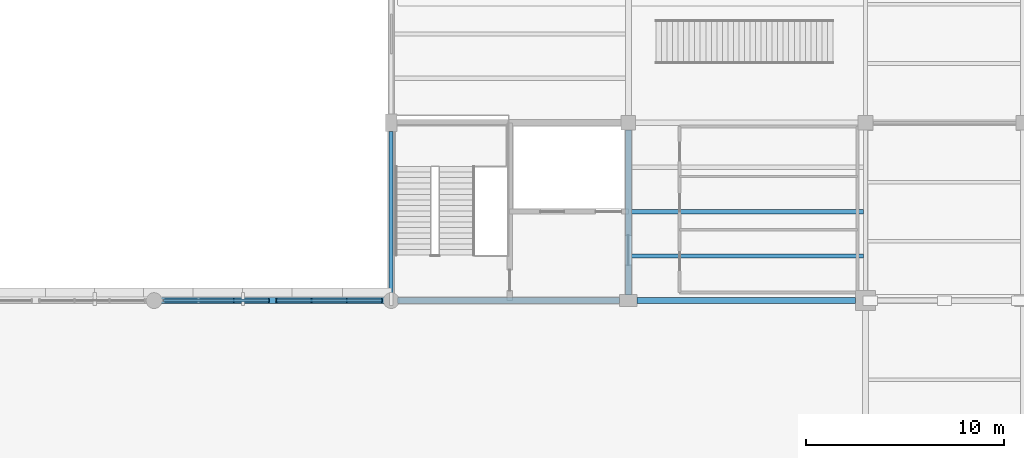
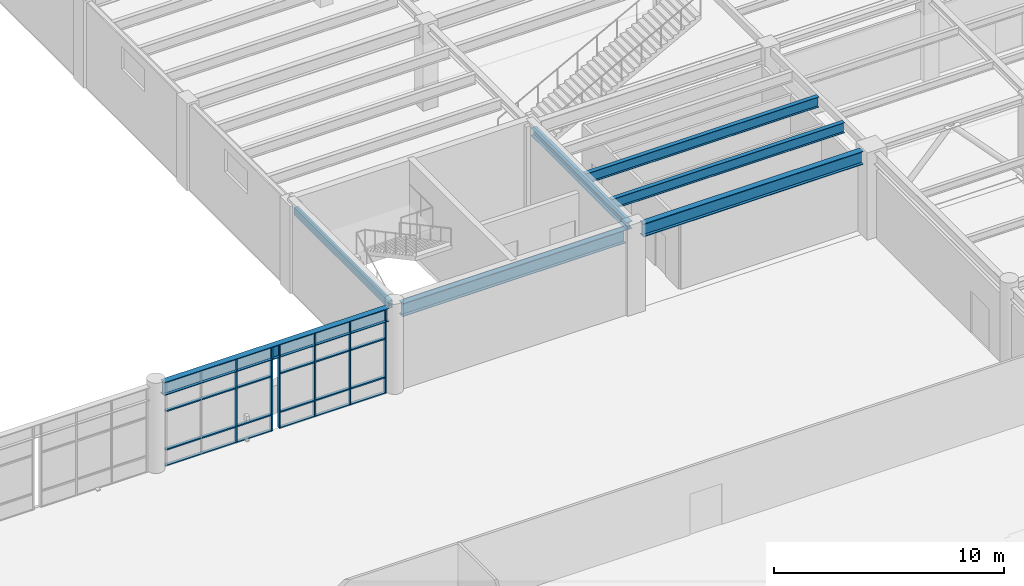
# One storey, part 23 of 72: 14 members, 7 beams, 2 elements without a shape of their own.
"""IFC4 building model written with IfcOpenShell, lengths in metres."""

import ifcopenshell
import ifcopenshell.guid

model = None  # the IFC model being written
_history = None  # IfcOwnerHistory: only IFC2X3 demands one
_inside = {}  # id of a spatial element -> (the spatial element, [elements in it])
_under = {}  # id of a project, library or spatial element -> (it, [spatial elements below it])
_declared = {}  # id of a project -> (the project, [libraries it declares])
_typed = {}  # id of a type object -> (the type object, [elements of that type])
_made_of = {}  # id of a material, layer set ... -> (it, [elements and type objects made of it])


def new_model(schema):
    """Start an empty IFC model of exactly this schema.

    Asked for "IFC4X3", IfcOpenShell would pick the latest addendum, in which some entities
    have other attributes; the version numbers below select the first issue.
    IFC2X3 requires an IfcOwnerHistory on every rooted entity: one is made here for all.
    """
    global model, _history
    if schema == "IFC4X3":
        model = ifcopenshell.file(schema_version=(4, 3, 0, 0))
    else:
        model = ifcopenshell.file(schema=schema)
    _inside.clear()
    _under.clear()
    _declared.clear()
    _typed.clear()
    _made_of.clear()
    _history = None
    if model.schema == "IFC2X3":
        org = make("IfcOrganization", Name="unknown")
        user = make(
            "IfcPersonAndOrganization",
            ThePerson=make("IfcPerson", FamilyName="unknown"),
            TheOrganization=org,
        )
        app = make(
            "IfcApplication",
            ApplicationDeveloper=org,
            Version="unknown",
            ApplicationFullName="unknown",
            ApplicationIdentifier="unknown",
        )
        _history = make(
            "IfcOwnerHistory",
            OwningUser=user,
            OwningApplication=app,
            ChangeAction="ADDED",
            CreationDate=0,
        )
    return model


def make(cls, **values):
    """One entity of the class cls with the attributes given. An attribute that is None is left unset."""
    return model.create_entity(
        cls, **{name: value for name, value in values.items() if value is not None}
    )


def rooted(cls, **values):
    """An entity with a GlobalId (a new one), such as an element, a storey or a relation."""
    return make(cls, GlobalId=ifcopenshell.guid.new(), OwnerHistory=_history, **values)


def si_unit(unit_type, name, prefix=None):
    """IfcSIUnit, for example si_unit("LENGTHUNIT", "METRE", prefix="MILLI")."""
    return make("IfcSIUnit", UnitType=unit_type, Prefix=prefix, Name=name)


def assignment(units):
    """IfcUnitAssignment: the units of a project."""
    return None if units is None else make("IfcUnitAssignment", Units=units)


def point(xyz):
    """IfcCartesianPoint."""
    return None if xyz is None else make("IfcCartesianPoint", Coordinates=xyz)


def direction(xyz):
    """IfcDirection."""
    return None if xyz is None else make("IfcDirection", DirectionRatios=xyz)


def frame(location, z_axis=None, x_axis=None):
    """IfcAxis2Placement3D, a coordinate frame: its origin and axes. An axis left out is left unset."""
    return make(
        "IfcAxis2Placement3D",
        Location=point(location),
        Axis=direction(z_axis),
        RefDirection=direction(x_axis),
    )


def frame_2d(location, x_axis=None):
    """IfcAxis2Placement2D, a coordinate frame in the plane: its origin and x axis."""
    return make(
        "IfcAxis2Placement2D", Location=point(location), RefDirection=direction(x_axis)
    )


def origin():
    """The frame at (0, 0, 0) with its axes left unset."""
    return frame((0.0, 0.0, 0.0))


def origin_2d():
    """The frame at (0, 0) in the plane with its x axis left unset."""
    return frame_2d((0.0, 0.0))


def place(relative_to, where):
    """IfcLocalPlacement: puts the frame where relative to a parent placement (None: the world)."""
    return make(
        "IfcLocalPlacement", PlacementRelTo=relative_to, RelativePlacement=where
    )


def context(
    kind, dimensions, precision=None, world=None, true_north=None, identifier=None
):
    """IfcGeometricRepresentationContext, for example the 3D "Model" context."""
    return make(
        "IfcGeometricRepresentationContext",
        ContextIdentifier=identifier,
        ContextType=kind,
        CoordinateSpaceDimension=dimensions,
        Precision=precision,
        WorldCoordinateSystem=world,
        TrueNorth=true_north,
    )


def subcontext(parent, identifier, kind, view, scale=None):
    """IfcGeometricRepresentationSubContext, for example "Body" below "Model"."""
    return make(
        "IfcGeometricRepresentationSubContext",
        ContextIdentifier=identifier,
        ContextType=kind,
        ParentContext=parent,
        TargetScale=scale,
        TargetView=view,
    )


def project(units=None, contexts=None):
    """IfcProject with its units and contexts."""
    return rooted(
        "IfcProject",
        Name="project",
        RepresentationContexts=contexts,
        UnitsInContext=assignment(units),
    )


def spatial(cls, under=None, at=None, **own):
    """A site, building, storey or space (cls), placed at a placement, below another one or the project."""
    s = rooted(cls, ObjectPlacement=at, **own)
    if under is not None:
        _under.setdefault(under.id(), (under, []))[1].append(s)
    return s


def profile(cls, at=None, kind="AREA", **sizes):
    """A parametric profile (cls). Its sizes go by their IFC names, for example OverallWidth=200.0."""
    return make(cls, ProfileType=kind, Position=at, **sizes)


def rectangle(**sizes):
    """IfcRectangleProfileDef."""
    return profile("IfcRectangleProfileDef", **sizes)


def hollow_rectangle(**sizes):
    """IfcRectangleHollowProfileDef."""
    return profile("IfcRectangleHollowProfileDef", **sizes)


def i_section(**sizes):
    """IfcIShapeProfileDef."""
    return profile("IfcIShapeProfileDef", **sizes)


def extrude(swept, where, along, depth):
    """IfcExtrudedAreaSolid: the profile swept, set in the frame where, extruded along a direction by depth."""
    return make(
        "IfcExtrudedAreaSolid",
        SweptArea=swept,
        Position=where,
        ExtrudedDirection=direction(along),
        Depth=depth,
    )


def shape(context_of_items, identifier, shape_type, items):
    """IfcShapeRepresentation: the items that make up one representation, for example the "Body"."""
    return make(
        "IfcShapeRepresentation",
        ContextOfItems=context_of_items,
        RepresentationIdentifier=identifier,
        RepresentationType=shape_type,
        Items=items,
    )


def material(Name=None, Category=None):
    """IfcMaterial."""
    return make("IfcMaterial", Name=Name, Category=Category)


def layer(
    of_material, thickness, ventilated=None, Name=None, Category=None, Priority=None
):
    """IfcMaterialLayer: one layer of a wall or slab, of a material (None: an air gap)."""
    return make(
        "IfcMaterialLayer",
        Material=of_material,
        LayerThickness=thickness,
        IsVentilated=ventilated,
        Name=Name,
        Category=Category,
        Priority=Priority,
    )


def layer_set(layers, Name=None):
    """IfcMaterialLayerSet."""
    return make("IfcMaterialLayerSet", MaterialLayers=layers, LayerSetName=Name)


def material_profile(
    of_material, cross_section, Name=None, Category=None, Priority=None
):
    """IfcMaterialProfile: a cross section and its material."""
    return make(
        "IfcMaterialProfile",
        Name=Name,
        Material=of_material,
        Profile=cross_section,
        Priority=Priority,
        Category=Category,
    )


def profile_set(profiles, Name=None, composite=None):
    """IfcMaterialProfileSet."""
    return make(
        "IfcMaterialProfileSet",
        Name=Name,
        MaterialProfiles=profiles,
        CompositeProfile=composite,
    )


def made_of(thing, what):
    """Note that an element or type object is made of a material, layer set ...; save() writes the relation."""
    if what is not None:
        _made_of.setdefault(what.id(), (what, []))[1].append(thing)
    return thing


def type_object(cls, material=None, **own):
    """A type object (cls), such as IfcWallType, which elements share."""
    return made_of(rooted(cls, **own), material)


def element(
    cls,
    number,
    at=None,
    inside=None,
    cuts=None,
    type_object=None,
    material=None,
    context=None,
    identifier="Body",
    shape_type=None,
    held_by="IfcProductDefinitionShape",
    body=None,
    shapes=None,
    **own,
):
    """One element of the class cls, such as IfcWall. Its Tag is "e" and its number.

    at: its placement. inside: the storey or other place that contains it. cuts: it is an
    opening in that element (IfcRelVoidsElement). A single representation is given by context,
    identifier, shape_type and body (its items); several are given by shapes. held_by: the class
    of the entity that holds the representations. save() writes the other relations.
    """
    e = rooted(cls, Tag="e%d" % number, ObjectPlacement=at, **own)
    if body is not None:
        shapes = [shape(context, identifier, shape_type, body)]
    if shapes is not None:
        e.Representation = make(held_by, Representations=shapes)
    if inside is not None:
        _inside.setdefault(inside.id(), (inside, []))[1].append(e)
    if cuts is not None:
        rooted(
            "IfcRelVoidsElement", RelatingBuildingElement=cuts, RelatedOpeningElement=e
        )
    if type_object is not None:
        _typed.setdefault(type_object.id(), (type_object, []))[1].append(e)
    return made_of(e, material)


def aggregate(whole, parts):
    """IfcRelAggregates: a whole, such as a stair, and the parts it consists of."""
    return rooted("IfcRelAggregates", RelatingObject=whole, RelatedObjects=parts)


def save(model, path):
    """Write the relations noted so far, then the file.

    IfcRelAggregates (storeys below a building ...), IfcRelContainedInSpatialStructure (elements
    in a storey), IfcRelDefinesByType, IfcRelAssociatesMaterial and IfcRelDeclares: one each for
    every whole, place, type object, material and project.
    """
    for whole, parts in _under.values():
        aggregate(whole, parts)
    for where, things in _inside.values():
        rooted(
            "IfcRelContainedInSpatialStructure",
            RelatedElements=things,
            RelatingStructure=where,
        )
    for kind, things in _typed.values():
        rooted("IfcRelDefinesByType", RelatedObjects=things, RelatingType=kind)
    for what, things in _made_of.values():
        rooted("IfcRelAssociatesMaterial", RelatedObjects=things, RelatingMaterial=what)
    for by, libraries in _declared.values():
        rooted("IfcRelDeclares", RelatingContext=by, RelatedDefinitions=libraries)
    model.write(path)


model = new_model("IFC4")

# Units and contexts
model_context = context("Model", 3, precision=1e-05, world=origin(), true_north=direction((0.0, 1.0)))
body_context = subcontext(model_context, "Body", "Model", "MODEL_VIEW")
ifc_project = project(units=[si_unit("LENGTHUNIT", "METRE"), si_unit("AREAUNIT", "SQUARE_METRE"), si_unit("VOLUMEUNIT", "CUBIC_METRE"), si_unit("PLANEANGLEUNIT", "RADIAN"), si_unit("MASSUNIT", "GRAM", prefix="KILO")], contexts=[model_context])

# Site, building, storey
site_placement = place(None, origin())
site = spatial("IfcSite", under=ifc_project, at=site_placement, CompositionType="ELEMENT")
building_placement = place(site_placement, origin())
building = spatial("IfcBuilding", under=site, at=building_placement, Name="Keelwater Ferry Terminal", CompositionType="ELEMENT")
storey_placement = place(building_placement, frame((0.0, 0.0, 5.39990234375)))
storey = spatial("IfcBuildingStorey", under=building, at=storey_placement, Name="L01", CompositionType="ELEMENT", Elevation=5.39990234375)

# Curtain wall, members
ifc_material_1 = material(Name="Thermally broken unitised aluminium and triple glass", Category="aluminium")
ifc_layer = layer(ifc_material_1, 0.179931640625)
ifc_layer_set = layer_set([ifc_layer], Name="Thermally broken unitised aluminium and triple glass")
curtain_wall_type = type_object("IfcCurtainWallType", Name="CW-06 Unitised Curtain Wall 5330x4450", PredefinedType="USERDEFINED", material=ifc_layer_set)
curtain_wall_1_placement = place(storey_placement, origin())
curtain_wall_1 = element("IfcCurtainWall", 1, at=curtain_wall_1_placement, inside=storey, type_object=curtain_wall_type, Name="Unitised Curtain Wall CW-L01-037", ObjectType="UNITISED CURTAIN WALL", PredefinedType="USERDEFINED")
ifc_material_2 = material(Name="Aluminium mullion", Category="aluminium")
ifc_material_profile_1 = material_profile(ifc_material_2, rectangle(XDim=0.06494140625, YDim=0.179931640625, at=origin_2d()), Name="CWM-01")
ifc_profile_set_1 = profile_set([ifc_material_profile_1], Name="Aluminium mullion")
member_type_1 = type_object("IfcMemberType", Name="CWM-01 Curtain Mullion 65x180", PredefinedType="MULLION", material=ifc_profile_set_1)
member_1_placement = place(storey_placement, frame((100.0283203125, 90.0, 0.0), z_axis=(0.0, 0.0, 1.0), x_axis=(1.0, 0.0, 0.0)))
member_1 = element("IfcMember", 2, at=member_1_placement, type_object=member_type_1, Name="CW-L01-037 Mullion 3", PredefinedType="MULLION", context=body_context, shape_type="SweptSolid", body=[
    extrude(rectangle(XDim=0.06494140625, YDim=0.179931640625, at=origin_2d()), origin(), (0.0, 0.0, 1.0), 4.4501953125),
])
member_2_placement = place(storey_placement, frame((101.804931640625, 90.0, 0.0), z_axis=(0.0, 0.0, 1.0), x_axis=(1.0, 0.0, 0.0)))
member_2 = element("IfcMember", 3, at=member_2_placement, type_object=member_type_1, Name="CW-L01-037 Mullion 4", PredefinedType="MULLION", context=body_context, shape_type="SweptSolid", body=[
    extrude(rectangle(XDim=0.06494140625, YDim=0.179931640625, at=origin_2d()), origin(), (0.0, 0.0, 1.0), 4.4501953125),
])

curtain_wall_2_placement = place(storey_placement, origin())
curtain_wall_2 = element("IfcCurtainWall", 4, at=curtain_wall_2_placement, inside=storey, type_object=curtain_wall_type, Name="Unitised Curtain Wall CW-L01-038", ObjectType="UNITISED CURTAIN WALL", PredefinedType="USERDEFINED")
member_3_placement = place(storey_placement, frame((102.195068359375, 90.0, 0.0), z_axis=(0.0, 0.0, 1.0), x_axis=(1.0, 0.0, 0.0)))
member_3 = element("IfcMember", 5, at=member_3_placement, type_object=member_type_1, Name="CW-L01-038 Mullion 1", PredefinedType="MULLION", context=body_context, shape_type="SweptSolid", body=[
    extrude(rectangle(XDim=0.06494140625, YDim=0.179931640625, at=origin_2d()), origin(), (0.0, 0.0, 1.0), 4.4501953125),
])
member_4_placement = place(storey_placement, frame((103.9716796875, 90.0, 0.0), z_axis=(0.0, 0.0, 1.0), x_axis=(1.0, 0.0, 0.0)))
member_4 = element("IfcMember", 6, at=member_4_placement, type_object=member_type_1, Name="CW-L01-038 Mullion 2", PredefinedType="MULLION", context=body_context, shape_type="SweptSolid", body=[
    extrude(rectangle(XDim=0.06494140625, YDim=0.179931640625, at=origin_2d()), origin(), (0.0, 0.0, 1.0), 4.4501953125),
])
member_5_placement = place(storey_placement, frame((105.748291015625, 90.0, 0.0), z_axis=(0.0, 0.0, 1.0), x_axis=(1.0, 0.0, 0.0)))
member_5 = element("IfcMember", 7, at=member_5_placement, type_object=member_type_1, Name="CW-L01-038 Mullion 3", PredefinedType="MULLION", context=body_context, shape_type="SweptSolid", body=[
    extrude(rectangle(XDim=0.06494140625, YDim=0.179931640625, at=origin_2d()), origin(), (0.0, 0.0, 1.0), 4.4501953125),
])
member_6_placement = place(storey_placement, frame((107.52490234375, 90.0, 0.0), z_axis=(0.0, 0.0, 1.0), x_axis=(1.0, 0.0, 0.0)))
member_6 = element("IfcMember", 8, at=member_6_placement, type_object=member_type_1, Name="CW-L01-038 Mullion 4", PredefinedType="MULLION", context=body_context, shape_type="SweptSolid", body=[
    extrude(rectangle(XDim=0.06494140625, YDim=0.179931640625, at=origin_2d()), origin(), (0.0, 0.0, 1.0), 4.4501953125),
])

# Member
ifc_material_3 = material(Name="Aluminium mullion", Category="aluminium")
ifc_material_profile_2 = material_profile(ifc_material_3, rectangle(XDim=0.159912109375, YDim=0.06494140625, at=origin_2d()), Name="CWT-01")
ifc_profile_set_2 = profile_set([ifc_material_profile_2], Name="Aluminium mullion")
member_type_2 = type_object("IfcMemberType", Name="CWT-01 Curtain Transom 65x160", PredefinedType="USERDEFINED", material=ifc_profile_set_2)
member_7_placement = place(storey_placement, frame((96.47509765625, 90.0, 0.0), z_axis=(1.0, 0.0, 0.0), x_axis=(0.0, 1.0, 0.0)))
member_7 = element("IfcMember", 9, at=member_7_placement, type_object=member_type_2, Name="CW-L01-037 Transom 1", ObjectType="TRANSOM", PredefinedType="USERDEFINED", context=body_context, shape_type="SweptSolid", body=[
    extrude(rectangle(XDim=0.159912109375, YDim=0.06494140625, at=origin_2d()), origin(), (0.0, 0.0, 1.0), 5.329833984375),
])

member_8_placement = place(storey_placement, frame((96.47509765625, 90.0, 0.85009765625), z_axis=(1.0, 0.0, 0.0), x_axis=(0.0, 1.0, 0.0)))
member_8 = element("IfcMember", 10, at=member_8_placement, type_object=member_type_2, Name="CW-L01-037 Transom 2", ObjectType="TRANSOM", PredefinedType="USERDEFINED", context=body_context, shape_type="SweptSolid", body=[
    extrude(rectangle(XDim=0.159912109375, YDim=0.06494140625, at=origin_2d()), origin(), (0.0, 0.0, 1.0), 5.329833984375),
])

member_9_placement = place(storey_placement, frame((96.47509765625, 90.0, 2.900146484375), z_axis=(1.0, 0.0, 0.0), x_axis=(0.0, 1.0, 0.0)))
member_9 = element("IfcMember", 11, at=member_9_placement, type_object=member_type_2, Name="CW-L01-037 Transom 3", ObjectType="TRANSOM", PredefinedType="USERDEFINED", context=body_context, shape_type="SweptSolid", body=[
    extrude(rectangle(XDim=0.159912109375, YDim=0.06494140625, at=origin_2d()), origin(), (0.0, 0.0, 1.0), 5.329833984375),
])

member_10_placement = place(storey_placement, frame((96.47509765625, 90.0, 4.4501953125), z_axis=(1.0, 0.0, 0.0), x_axis=(0.0, 1.0, 0.0)))
member_10 = element("IfcMember", 12, at=member_10_placement, type_object=member_type_2, Name="CW-L01-037 Transom 4", ObjectType="TRANSOM", PredefinedType="USERDEFINED", context=body_context, shape_type="SweptSolid", body=[
    extrude(rectangle(XDim=0.159912109375, YDim=0.06494140625, at=origin_2d()), origin(), (0.0, 0.0, 1.0), 5.329833984375),
])

aggregate(curtain_wall_1, [member_1, member_2, member_7, member_8, member_9, member_10])

member_11_placement = place(storey_placement, frame((102.195068359375, 90.0, 0.0), z_axis=(1.0, 0.0, 0.0), x_axis=(0.0, 1.0, 0.0)))
member_11 = element("IfcMember", 13, at=member_11_placement, type_object=member_type_2, Name="CW-L01-038 Transom 1", ObjectType="TRANSOM", PredefinedType="USERDEFINED", context=body_context, shape_type="SweptSolid", body=[
    extrude(rectangle(XDim=0.159912109375, YDim=0.06494140625, at=origin_2d()), origin(), (0.0, 0.0, 1.0), 5.329833984375),
])

member_12_placement = place(storey_placement, frame((102.195068359375, 90.0, 0.85009765625), z_axis=(1.0, 0.0, 0.0), x_axis=(0.0, 1.0, 0.0)))
member_12 = element("IfcMember", 14, at=member_12_placement, type_object=member_type_2, Name="CW-L01-038 Transom 2", ObjectType="TRANSOM", PredefinedType="USERDEFINED", context=body_context, shape_type="SweptSolid", body=[
    extrude(rectangle(XDim=0.159912109375, YDim=0.06494140625, at=origin_2d()), origin(), (0.0, 0.0, 1.0), 5.329833984375),
])

member_13_placement = place(storey_placement, frame((102.195068359375, 90.0, 2.900146484375), z_axis=(1.0, 0.0, 0.0), x_axis=(0.0, 1.0, 0.0)))
member_13 = element("IfcMember", 15, at=member_13_placement, type_object=member_type_2, Name="CW-L01-038 Transom 3", ObjectType="TRANSOM", PredefinedType="USERDEFINED", context=body_context, shape_type="SweptSolid", body=[
    extrude(rectangle(XDim=0.159912109375, YDim=0.06494140625, at=origin_2d()), origin(), (0.0, 0.0, 1.0), 5.329833984375),
])

member_14_placement = place(storey_placement, frame((102.195068359375, 90.0, 4.4501953125), z_axis=(1.0, 0.0, 0.0), x_axis=(0.0, 1.0, 0.0)))
member_14 = element("IfcMember", 16, at=member_14_placement, type_object=member_type_2, Name="CW-L01-038 Transom 4", ObjectType="TRANSOM", PredefinedType="USERDEFINED", context=body_context, shape_type="SweptSolid", body=[
    extrude(rectangle(XDim=0.159912109375, YDim=0.06494140625, at=origin_2d()), origin(), (0.0, 0.0, 1.0), 5.329833984375),
])

aggregate(curtain_wall_2, [member_3, member_4, member_5, member_6, member_11, member_12, member_13, member_14])

# Beams
ifc_material_4 = material(Name="Steel S355", Category="steel")
ifc_material_profile_3 = material_profile(ifc_material_4, i_section(OverallWidth=0.300048828125, OverallDepth=0.699951171875, WebThickness=0.01708984375, FlangeThickness=0.031982421875, at=origin_2d()), Name="HEB 700")
ifc_profile_set_3 = profile_set([ifc_material_profile_3], Name="Steel S355")
beam_type_1 = type_object("IfcBeamType", Name="G2E HEB 700", PredefinedType="BEAM", material=ifc_profile_set_3)
beam_1_placement = place(storey_placement, frame((96.327880859375, 90.0, 4.170166015625), z_axis=(1.0, 0.0, 0.0), x_axis=(0.0, 1.0, 0.0)))
element("IfcBeam", 17, at=beam_1_placement, inside=storey, type_object=beam_type_1, Name="Beam BM-L01-0675", PredefinedType="BEAM", context=body_context, shape_type="SweptSolid", body=[
    extrude(i_section(OverallWidth=0.300048828125, OverallDepth=0.699951171875, WebThickness=0.01708984375, FlangeThickness=0.031982421875, at=origin_2d()), origin(), (0.0, 0.0, 1.0), 11.34423828125),
])
beam_2_placement = place(storey_placement, frame((108.327880859375, 90.0, 4.170166015625), z_axis=(1.0, 0.0, 0.0), x_axis=(0.0, 1.0, 0.0)))
element("IfcBeam", 18, at=beam_2_placement, inside=storey, type_object=beam_type_1, Name="Beam BM-L01-0676", PredefinedType="BEAM", context=body_context, shape_type="SweptSolid", body=[
    extrude(i_section(OverallWidth=0.300048828125, OverallDepth=0.699951171875, WebThickness=0.01708984375, FlangeThickness=0.031982421875, at=origin_2d()), origin(), (0.0, 0.0, 1.0), 11.231201171875),
])
beam_3_placement = place(storey_placement, frame((120.44091796875, 90.0, 4.170166015625), z_axis=(1.0, 0.0, 0.0), x_axis=(0.0, 1.0, 0.0)))
element("IfcBeam", 19, at=beam_3_placement, inside=storey, type_object=beam_type_1, Name="Beam BM-L01-0677", PredefinedType="BEAM", context=body_context, shape_type="SweptSolid", body=[
    extrude(i_section(OverallWidth=0.300048828125, OverallDepth=0.699951171875, WebThickness=0.01708984375, FlangeThickness=0.031982421875, at=origin_2d()), origin(), (0.0, 0.0, 1.0), 11.069091796875),
])
ifc_material_5 = material(Name="Steel S355", Category="steel")
ifc_material_profile_4 = material_profile(ifc_material_5, i_section(OverallWidth=0.300048828125, OverallDepth=0.39990234375, WebThickness=0.013427734375, FlangeThickness=0.02392578125, at=origin_2d()), Name="HEB 400")
ifc_profile_set_4 = profile_set([ifc_material_profile_4], Name="Steel S355")
beam_type_2 = type_object("IfcBeamType", Name="G7 HEB 400", PredefinedType="BEAM", material=ifc_profile_set_4)
beam_4_placement = place(storey_placement, frame((120.0, 90.2939453125, 4.320068359375), z_axis=(0.0, 1.0, 0.0), x_axis=(-1.0, 0.0, 0.0)))
element("IfcBeam", 20, at=beam_4_placement, inside=storey, type_object=beam_type_2, Name="Beam BM-L01-0747", PredefinedType="BEAM", context=body_context, shape_type="SweptSolid", body=[
    extrude(i_section(OverallWidth=0.300048828125, OverallDepth=0.39990234375, WebThickness=0.013427734375, FlangeThickness=0.02392578125, at=origin_2d()), origin(), (0.0, 0.0, 1.0), 8.338134765625),
])
ifc_material_6 = material(Name="Steel S355", Category="steel")
ifc_material_profile_5 = material_profile(ifc_material_6, i_section(OverallWidth=0.2099609375, OverallDepth=0.550048828125, WebThickness=0.010986328125, FlangeThickness=0.01708984375, at=origin_2d()), Name="IPE 550")
ifc_profile_set_5 = profile_set([ifc_material_profile_5], Name="Steel S355")
beam_type_3 = type_object("IfcBeamType", Name="J2 IPE 550", PredefinedType="JOIST", material=ifc_profile_set_5)
for number, where, z_axis, x_axis, name in (
    (21, (120.14990234375, 92.25, 4.2451171875), (1.0, 0.0, 0.0), (0.0, 1.0, 0.0), "Beam BM-L01-0862"),
    (22, (120.14990234375, 94.5, 4.2451171875), (1.0, 0.0, 0.0), (0.0, 1.0, 0.0), "Beam BM-L01-0863"),
):
    element("IfcBeam", number, at=place(storey_placement, frame(where, z_axis=z_axis, x_axis=x_axis)), inside=storey, type_object=beam_type_3, Name=name, PredefinedType="JOIST", context=body_context, shape_type="SweptSolid", body=[
        extrude(i_section(OverallWidth=0.2099609375, OverallDepth=0.550048828125, WebThickness=0.010986328125, FlangeThickness=0.01708984375, at=origin_2d()), origin(), (0.0, 0.0, 1.0), 11.75),
    ])
ifc_material_7 = material(Name="Steel S355", Category="steel")
ifc_material_profile_6 = material_profile(ifc_material_7, hollow_rectangle(XDim=0.199951171875, YDim=0.39990234375, WallThickness=0.01611328125, at=origin_2d()), Name="RHS 400x200x16")
ifc_profile_set_6 = profile_set([ifc_material_profile_6], Name="Steel S355")
beam_type_4 = type_object("IfcBeamType", Name="SP3E RHS 400x200x16", PredefinedType="SPANDREL", material=ifc_profile_set_6)
beam_5_placement = place(storey_placement, frame((108.0, 90.327880859375, 4.320068359375), z_axis=(0.0, 1.0, 0.0), x_axis=(-1.0, 0.0, 0.0)))
element("IfcBeam", 23, at=beam_5_placement, inside=storey, type_object=beam_type_4, Name="Beam BM-L01-0743", PredefinedType="SPANDREL", context=body_context, shape_type="SweptSolid", body=[
    extrude(hollow_rectangle(XDim=0.199951171875, YDim=0.39990234375, WallThickness=0.01611328125, at=origin_2d()), origin(), (0.0, 0.0, 1.0), 8.231201171875),
])

save(model, "model.ifc")
